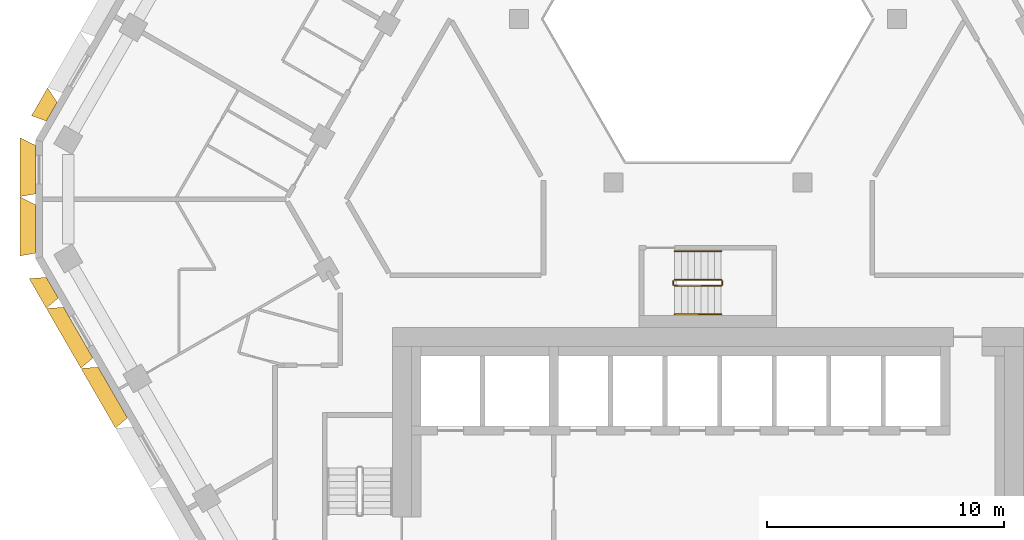
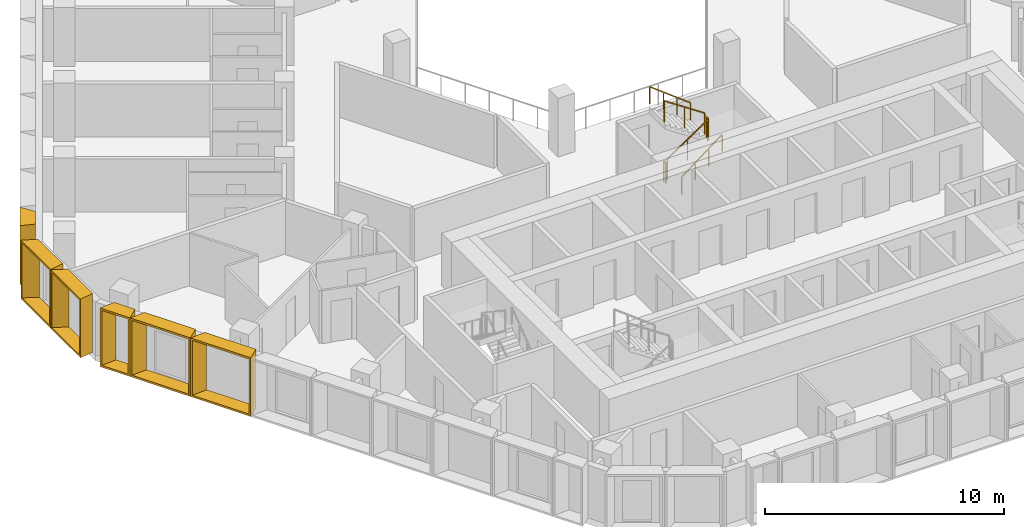
# One storey, part 13 of 15: 6 railings, 6 shading devices.
"""IFC4 building model written with IfcOpenShell, lengths in metres."""

from ifc_helpers import new_model, entity, si_unit, direction, frame, origin, origin_2d, place, context, subcontext, project, spatial, rectangle, extrude, source, transform, mapped, material, type_object, type_shapes, element, save


model = new_model("IFC4")

# Units and contexts
model_context = context("Model", 3, precision=1e-05, world=origin(), true_north=direction((0.0, 1.0)))
body_context = subcontext(model_context, "Body", "Model", "MODEL_VIEW")
ifc_project = project(units=[si_unit("LENGTHUNIT", "METRE"), si_unit("AREAUNIT", "SQUARE_METRE"), si_unit("VOLUMEUNIT", "CUBIC_METRE"), si_unit("PLANEANGLEUNIT", "RADIAN"), si_unit("MASSUNIT", "GRAM", prefix="KILO")], contexts=[model_context])

# Site, building, storey
site_placement = place(None, origin())
site = spatial("IfcSite", under=ifc_project, at=site_placement, CompositionType="ELEMENT")
building_placement = place(site_placement, origin())
building = spatial("IfcBuilding", under=site, at=building_placement, Name="Beryl Residences", CompositionType="ELEMENT")
storey_placement = place(building_placement, frame((0.0, 0.0, 135.60009765625)))
storey = spatial("IfcBuildingStorey", under=building, at=storey_placement, Name="L41", CompositionType="ELEMENT", Elevation=135.60009765625)

# Shading devices
ifc_material_1 = material(Name="Aluminium pale anodised", Category="aluminium")
shading_device_type_1 = type_object("IfcShadingDeviceType", Name="FR137-65B OUTER SKIN frame 650 mm deep, splay 26/10 deg, 1370 x 3000 mm cell", PredefinedType="USERDEFINED", material=ifc_material_1)
cartesian_point_1 = entity("IfcCartesianPoint", [-0.458984375, 0.0])
cartesian_point_2 = entity("IfcCartesianPoint", [-0.369873046875, 0.10009765625])
cartesian_point_3 = entity("IfcCartesianPoint", [-0.776123046875, 0.0])
cartesian_point_4 = entity("IfcCartesianPoint", [-0.68701171875, 0.10009765625])
shared_shape_1 = source(origin(), body_context, "Body", "SweptSolid", [
    entity("IfcExtrudedAreaSolidTapered", entity("IfcArbitraryProfileDefWithVoids", "AREA", None, entity("IfcPolyline", [cartesian_point_1, entity("IfcCartesianPoint", [0.458984375, 0.0]), entity("IfcCartesianPoint", [0.458984375, 3.0]), entity("IfcCartesianPoint", [-0.458984375, 3.0]), cartesian_point_1]), [entity("IfcPolyline", [cartesian_point_2, entity("IfcCartesianPoint", [0.377685546875, 0.10009765625]), entity("IfcCartesianPoint", [0.377685546875, 2.89990234375]), entity("IfcCartesianPoint", [-0.369873046875, 2.89990234375]), cartesian_point_2])]), entity("IfcAxis2Placement3D", entity("IfcCartesianPoint", [0.0, 0.0, 0.0]), entity("IfcDirection", [0.0, 1.0, 0.0]), entity("IfcDirection", [-1.0, 0.0, 0.0])), entity("IfcDirection", [0.0, 0.0, 1.0]), 0.64990234375, entity("IfcArbitraryProfileDefWithVoids", "AREA", None, entity("IfcPolyline", [cartesian_point_3, entity("IfcCartesianPoint", [0.57373046875, 0.0]), entity("IfcCartesianPoint", [0.57373046875, 3.0]), entity("IfcCartesianPoint", [-0.776123046875, 3.0]), cartesian_point_3]), [entity("IfcPolyline", [cartesian_point_4, entity("IfcCartesianPoint", [0.492431640625, 0.10009765625]), entity("IfcCartesianPoint", [0.492431640625, 2.89990234375]), entity("IfcCartesianPoint", [-0.68701171875, 2.89990234375]), cartesian_point_4])])),
])
type_shapes(shading_device_type_1, [shared_shape_1])
shading_device_1_placement = place(storey_placement, frame((-27.658935546875, 4.093017578125, 0.0), z_axis=(0.0, 0.0, 1.0), x_axis=(0.5, 0.866025403784, 0.0)))
element("IfcShadingDevice", 1, at=shading_device_1_placement, inside=storey, type_object=shading_device_type_1, Name="FR137-65B frame L41 NW 9", ObjectType="OUTER SKIN", PredefinedType="USERDEFINED", context=body_context, shape_type="MappedRepresentation", body=[
    mapped(shared_shape_1, transform((0.0, 0.0, 0.0))),
])
ifc_material_2 = material(Name="Aluminium pale anodised", Category="aluminium")
shading_device_type_2 = type_object("IfcShadingDeviceType", Name="FR146-65B OUTER SKIN frame 650 mm deep, splay 26/10 deg, 1460 x 3000 mm cell", PredefinedType="USERDEFINED", material=ifc_material_2)
cartesian_point_5 = entity("IfcCartesianPoint", [-0.50390625, 0.0])
cartesian_point_6 = entity("IfcCartesianPoint", [-0.4150390625, 0.10009765625])
cartesian_point_7 = entity("IfcCartesianPoint", [-0.821044921875, 0.0])
cartesian_point_8 = entity("IfcCartesianPoint", [-0.73193359375, 0.10009765625])
shared_shape_2 = source(origin(), body_context, "Body", "SweptSolid", [
    entity("IfcExtrudedAreaSolidTapered", entity("IfcArbitraryProfileDefWithVoids", "AREA", None, entity("IfcPolyline", [cartesian_point_5, entity("IfcCartesianPoint", [0.50390625, 0.0]), entity("IfcCartesianPoint", [0.50390625, 3.0]), entity("IfcCartesianPoint", [-0.50390625, 3.0]), cartesian_point_5]), [entity("IfcPolyline", [cartesian_point_6, entity("IfcCartesianPoint", [0.4228515625, 0.10009765625]), entity("IfcCartesianPoint", [0.4228515625, 2.89990234375]), entity("IfcCartesianPoint", [-0.4150390625, 2.89990234375]), cartesian_point_6])]), entity("IfcAxis2Placement3D", entity("IfcCartesianPoint", [0.0, 0.0, 0.0]), entity("IfcDirection", [0.0, 1.0, 0.0]), entity("IfcDirection", [-1.0, 0.0, 0.0])), entity("IfcDirection", [0.0, 0.0, 1.0]), 0.64990234375, entity("IfcArbitraryProfileDefWithVoids", "AREA", None, entity("IfcPolyline", [cartesian_point_7, entity("IfcCartesianPoint", [0.61865234375, 0.0]), entity("IfcCartesianPoint", [0.61865234375, 3.0]), entity("IfcCartesianPoint", [-0.821044921875, 3.0]), cartesian_point_7]), [entity("IfcPolyline", [cartesian_point_8, entity("IfcCartesianPoint", [0.537353515625, 0.10009765625]), entity("IfcCartesianPoint", [0.537353515625, 2.89990234375]), entity("IfcCartesianPoint", [-0.73193359375, 2.89990234375]), cartesian_point_8])])),
])
type_shapes(shading_device_type_2, [shared_shape_2])
shading_device_2_placement = place(storey_placement, frame((-27.636962890625, -3.3310546875, 0.0), z_axis=(0.0, 0.0, 1.0), x_axis=(-0.5, 0.866025403784, 0.0)))
element("IfcShadingDevice", 2, at=shading_device_2_placement, inside=storey, type_object=shading_device_type_2, Name="FR146-65B frame L41 SW 1", ObjectType="OUTER SKIN", PredefinedType="USERDEFINED", context=body_context, shape_type="MappedRepresentation", body=[
    mapped(shared_shape_2, transform((0.0, 0.0, 0.0))),
])
ifc_material_3 = material(Name="Aluminium pale anodised", Category="aluminium")
shading_device_type_3 = type_object("IfcShadingDeviceType", Name="FR250-65B OUTER SKIN frame 650 mm deep, splay 26/10 deg, 2500 x 3000 mm cell", PredefinedType="USERDEFINED", material=ifc_material_3)
cartesian_point_9 = entity("IfcCartesianPoint", [-1.02392578125, 0.0])
cartesian_point_10 = entity("IfcCartesianPoint", [-0.93505859375, 0.10009765625])
cartesian_point_11 = entity("IfcCartesianPoint", [-1.341064453125, 0.0])
cartesian_point_12 = entity("IfcCartesianPoint", [-1.251953125, 0.10009765625])
shared_shape_3 = source(origin(), body_context, "Body", "SweptSolid", [
    entity("IfcExtrudedAreaSolidTapered", entity("IfcArbitraryProfileDefWithVoids", "AREA", None, entity("IfcPolyline", [cartesian_point_9, entity("IfcCartesianPoint", [1.02392578125, 0.0]), entity("IfcCartesianPoint", [1.02392578125, 3.0]), entity("IfcCartesianPoint", [-1.02392578125, 3.0]), cartesian_point_9]), [entity("IfcPolyline", [cartesian_point_10, entity("IfcCartesianPoint", [0.94287109375, 0.10009765625]), entity("IfcCartesianPoint", [0.94287109375, 2.89990234375]), entity("IfcCartesianPoint", [-0.93505859375, 2.89990234375]), cartesian_point_10])]), entity("IfcAxis2Placement3D", entity("IfcCartesianPoint", [0.0, 0.0, 0.0]), entity("IfcDirection", [0.0, 1.0, 0.0]), entity("IfcDirection", [-1.0, 0.0, 0.0])), entity("IfcDirection", [0.0, 0.0, 1.0]), 0.64990234375, entity("IfcArbitraryProfileDefWithVoids", "AREA", None, entity("IfcPolyline", [cartesian_point_11, entity("IfcCartesianPoint", [1.138671875, 0.0]), entity("IfcCartesianPoint", [1.138671875, 3.0]), entity("IfcCartesianPoint", [-1.341064453125, 3.0]), cartesian_point_11]), [entity("IfcPolyline", [cartesian_point_12, entity("IfcCartesianPoint", [1.057373046875, 0.10009765625]), entity("IfcCartesianPoint", [1.057373046875, 2.89990234375]), entity("IfcCartesianPoint", [-1.251953125, 2.89990234375]), cartesian_point_12])])),
])
type_shapes(shading_device_type_3, [shared_shape_3])
for number, where, z_axis, x_axis, name in (
    (3, (-28.347900390625, 1.64990234375, 0.0), (0.0, 0.0, 1.0), (0.0, 1.0, 0.0), "FR250-65B frame L41 NW-SW 1"),
    (4, (-28.347900390625, -0.85009765625, 0.0), (0.0, 0.0, 1.0), (0.0, 1.0, 0.0), "FR250-65B frame L41 NW-SW 2"),
):
    element("IfcShadingDevice", number, at=place(storey_placement, frame(where, z_axis=z_axis, x_axis=x_axis)), inside=storey, type_object=shading_device_type_3, Name=name, ObjectType="OUTER SKIN", PredefinedType="USERDEFINED", context=body_context, shape_type="MappedRepresentation", body=[
        mapped(shared_shape_3, transform((0.0, 0.0, 0.0))),
    ])
ifc_material_4 = material(Name="Aluminium pale anodised", Category="aluminium")
shading_device_type_4 = type_object("IfcShadingDeviceType", Name="FR292-65B OUTER SKIN frame 650 mm deep, splay 26/10 deg, 2920 x 3000 mm cell", PredefinedType="USERDEFINED", material=ifc_material_4)
cartesian_point_13 = entity("IfcCartesianPoint", [-1.23388671875, 0.0])
cartesian_point_14 = entity("IfcCartesianPoint", [-1.14501953125, 0.10009765625])
cartesian_point_15 = entity("IfcCartesianPoint", [-1.551025390625, 0.0])
cartesian_point_16 = entity("IfcCartesianPoint", [-1.4619140625, 0.10009765625])
shared_shape_4 = source(origin(), body_context, "Body", "SweptSolid", [
    entity("IfcExtrudedAreaSolidTapered", entity("IfcArbitraryProfileDefWithVoids", "AREA", None, entity("IfcPolyline", [cartesian_point_13, entity("IfcCartesianPoint", [1.23388671875, 0.0]), entity("IfcCartesianPoint", [1.23388671875, 3.0]), entity("IfcCartesianPoint", [-1.23388671875, 3.0]), cartesian_point_13]), [entity("IfcPolyline", [cartesian_point_14, entity("IfcCartesianPoint", [1.15283203125, 0.10009765625]), entity("IfcCartesianPoint", [1.15283203125, 2.89990234375]), entity("IfcCartesianPoint", [-1.14501953125, 2.89990234375]), cartesian_point_14])]), entity("IfcAxis2Placement3D", entity("IfcCartesianPoint", [0.0, 0.0, 0.0]), entity("IfcDirection", [0.0, 1.0, 0.0]), entity("IfcDirection", [-1.0, 0.0, 0.0])), entity("IfcDirection", [0.0, 0.0, 1.0]), 0.64990234375, entity("IfcArbitraryProfileDefWithVoids", "AREA", None, entity("IfcPolyline", [cartesian_point_15, entity("IfcCartesianPoint", [1.3486328125, 0.0]), entity("IfcCartesianPoint", [1.3486328125, 3.0]), entity("IfcCartesianPoint", [-1.551025390625, 3.0]), cartesian_point_15]), [entity("IfcPolyline", [cartesian_point_16, entity("IfcCartesianPoint", [1.267333984375, 0.10009765625]), entity("IfcCartesianPoint", [1.267333984375, 2.89990234375]), entity("IfcCartesianPoint", [-1.4619140625, 2.89990234375]), cartesian_point_16])])),
])
type_shapes(shading_device_type_4, [shared_shape_4])
for number, where, z_axis, x_axis, name in (
    (5, (-26.5439453125, -5.22412109375, 0.0), (0.0, 0.0, 1.0), (-0.5, 0.866025403784, 0.0), "FR292-65B frame L41 SW 2"),
    (6, (-25.0859375, -7.7490234375, 0.0), (0.0, 0.0, 1.0), (-0.5, 0.866025403784, 0.0), "FR292-65B frame L41 SW 3"),
):
    element("IfcShadingDevice", number, at=place(storey_placement, frame(where, z_axis=z_axis, x_axis=x_axis)), inside=storey, type_object=shading_device_type_4, Name=name, ObjectType="OUTER SKIN", PredefinedType="USERDEFINED", context=body_context, shape_type="MappedRepresentation", body=[
        mapped(shared_shape_4, transform((0.0, 0.0, 0.0))),
    ])

# Railings
ifc_material_5 = material(Name="Stainless steel balustrade with glass infill", Category="steel")
railing_type_1 = type_object("IfcRailingType", Name="SG1 stair guard 1100 mm", PredefinedType="GUARDRAIL", material=ifc_material_5)
railing_1_placement = place(storey_placement, frame((-1.39990234375, -3.25, 0.1875)))
element("IfcRailing", 7, at=railing_1_placement, inside=storey, type_object=railing_type_1, Name="L41 ST-4 stair guard 1", PredefinedType="GUARDRAIL", context=body_context, shape_type="SweptSolid", body=[
    extrude(rectangle(XDim=0.048095703125, YDim=0.048095703125, at=origin_2d()), frame((0.0, 0.0, 1.076171875), z_axis=(0.830902050051, 0.0, 0.556418712142), x_axis=(0.0, 1.0, 0.0)), (0.0, 0.0, 1.0), 2.35888671875),
    extrude(rectangle(XDim=0.0419921875, YDim=0.0419921875, at=origin_2d()), origin(), (0.0, 0.0, 1.0), 1.052001953125),
    extrude(rectangle(XDim=0.0419921875, YDim=0.0419921875, at=origin_2d()), frame((0.97998046875, 0.0, 0.65625)), (0.0, 0.0, 1.0), 1.052001953125),
    extrude(rectangle(XDim=0.0419921875, YDim=0.0419921875, at=origin_2d()), frame((1.9599609375, 0.0, 1.3125)), (0.0, 0.0, 1.0), 1.052001953125),
])
railing_2_placement = place(storey_placement, frame((0.610107421875, -3.199951171875, 1.5)))
element("IfcRailing", 8, at=railing_2_placement, inside=storey, type_object=railing_type_1, Name="L41 ST-4 stair guard 2", PredefinedType="GUARDRAIL", context=body_context, shape_type="SweptSolid", body=[
    extrude(rectangle(XDim=0.048095703125, YDim=0.048095703125, at=origin_2d()), frame((0.0, 0.0, 1.076171875), z_axis=(0.0, 1.0, 0.0), x_axis=(-1.0, 0.0, 0.0)), (0.0, 0.0, 1.0), 0.14990234375),
    extrude(rectangle(XDim=0.0419921875, YDim=0.0419921875, at=origin_2d()), origin(), (0.0, 0.0, 1.0), 1.052001953125),
    extrude(rectangle(XDim=0.0419921875, YDim=0.0419921875, at=origin_2d()), frame((0.0, 0.14990234375, 0.0)), (0.0, 0.0, 1.0), 1.052001953125),
])
railing_3_placement = place(storey_placement, frame((0.56005859375, -3.0, 1.6875)))
element("IfcRailing", 9, at=railing_3_placement, inside=storey, type_object=railing_type_1, Name="L41 ST-4 stair guard 3", PredefinedType="GUARDRAIL", context=body_context, shape_type="SweptSolid", body=[
    extrude(rectangle(XDim=0.048095703125, YDim=0.048095703125, at=origin_2d()), frame((0.0, 0.0, 1.076171875), z_axis=(-0.830902050051, 0.0, 0.556418712142), x_axis=(0.0, -1.0, 0.0)), (0.0, 0.0, 1.0), 2.35888671875),
    extrude(rectangle(XDim=0.0419921875, YDim=0.0419921875, at=origin_2d()), origin(), (0.0, 0.0, 1.0), 1.052001953125),
    extrude(rectangle(XDim=0.0419921875, YDim=0.0419921875, at=origin_2d()), frame((-0.97998046875, 0.0, 0.65625)), (0.0, 0.0, 1.0), 1.052001953125),
    extrude(rectangle(XDim=0.0419921875, YDim=0.0419921875, at=origin_2d()), frame((-1.9599609375, 0.0, 1.3125)), (0.0, 0.0, 1.0), 1.052001953125),
])
railing_4_placement = place(storey_placement, frame((-1.449951171875, -3.199951171875, 0.0)))
element("IfcRailing", 10, at=railing_4_placement, inside=storey, type_object=railing_type_1, Name="L41 ST-4 stair guard 4", PredefinedType="GUARDRAIL", context=body_context, shape_type="SweptSolid", body=[
    extrude(rectangle(XDim=0.048095703125, YDim=0.048095703125, at=origin_2d()), frame((0.0, 0.0, 1.076171875), z_axis=(0.0, 1.0, 0.0), x_axis=(-1.0, 0.0, 0.0)), (0.0, 0.0, 1.0), 0.14990234375),
    extrude(rectangle(XDim=0.0419921875, YDim=0.0419921875, at=origin_2d()), origin(), (0.0, 0.0, 1.0), 1.052001953125),
    extrude(rectangle(XDim=0.0419921875, YDim=0.0419921875, at=origin_2d()), frame((0.0, 0.14990234375, 0.0)), (0.0, 0.0, 1.0), 1.052001953125),
])
ifc_material_6 = material(Name="Stainless steel handrail", Category="steel")
railing_type_2 = type_object("IfcRailingType", Name="SRL1 stair handrail 900 mm", PredefinedType="HANDRAIL", material=ifc_material_6)
railing_5_placement = place(storey_placement, frame((-1.39990234375, -4.449951171875, 0.1875)))
element("IfcRailing", 11, at=railing_5_placement, inside=storey, type_object=railing_type_2, Name="L41 ST-4 stair handrail 1", PredefinedType="HANDRAIL", context=body_context, shape_type="SweptSolid", body=[
    extrude(rectangle(XDim=0.048095703125, YDim=0.048095703125, at=origin_2d()), frame((0.0, 0.0, 0.8759765625), z_axis=(0.794121922505, 0.0, 0.607758481798), x_axis=(0.0, 1.0, 0.0)), (0.0, 0.0, 1.0), 2.468017578125),
    extrude(rectangle(XDim=0.0419921875, YDim=0.0419921875, at=origin_2d()), origin(), (0.0, 0.0, 1.0), 0.851806640625),
    extrude(rectangle(XDim=0.0419921875, YDim=0.0419921875, at=origin_2d()), frame((0.6533203125, 0.0, 0.5)), (0.0, 0.0, 1.0), 0.851806640625),
    extrude(rectangle(XDim=0.0419921875, YDim=0.0419921875, at=origin_2d()), frame((1.306640625, 0.0, 1.0)), (0.0, 0.0, 1.0), 0.851806640625),
    extrude(rectangle(XDim=0.0419921875, YDim=0.0419921875, at=origin_2d()), frame((1.9599609375, 0.0, 1.5)), (0.0, 0.0, 1.0), 0.851806640625),
])
railing_6_placement = place(storey_placement, frame((0.56005859375, -1.800048828125, 1.6875)))
element("IfcRailing", 12, at=railing_6_placement, inside=storey, type_object=railing_type_2, Name="L41 ST-4 stair handrail 2", PredefinedType="HANDRAIL", context=body_context, shape_type="SweptSolid", body=[
    extrude(rectangle(XDim=0.048095703125, YDim=0.048095703125, at=origin_2d()), frame((0.0, 0.0, 0.8759765625), z_axis=(-0.794121922505, 0.0, 0.607758481798), x_axis=(0.0, -1.0, 0.0)), (0.0, 0.0, 1.0), 2.468017578125),
    extrude(rectangle(XDim=0.0419921875, YDim=0.0419921875, at=origin_2d()), origin(), (0.0, 0.0, 1.0), 0.851806640625),
    extrude(rectangle(XDim=0.0419921875, YDim=0.0419921875, at=origin_2d()), frame((-0.6533203125, 0.0, 0.5)), (0.0, 0.0, 1.0), 0.851806640625),
    extrude(rectangle(XDim=0.0419921875, YDim=0.0419921875, at=origin_2d()), frame((-1.306640625, 0.0, 1.0)), (0.0, 0.0, 1.0), 0.851806640625),
    extrude(rectangle(XDim=0.0419921875, YDim=0.0419921875, at=origin_2d()), frame((-1.9599609375, 0.0, 1.5)), (0.0, 0.0, 1.0), 0.851806640625),
])

save(model, "model.ifc")
